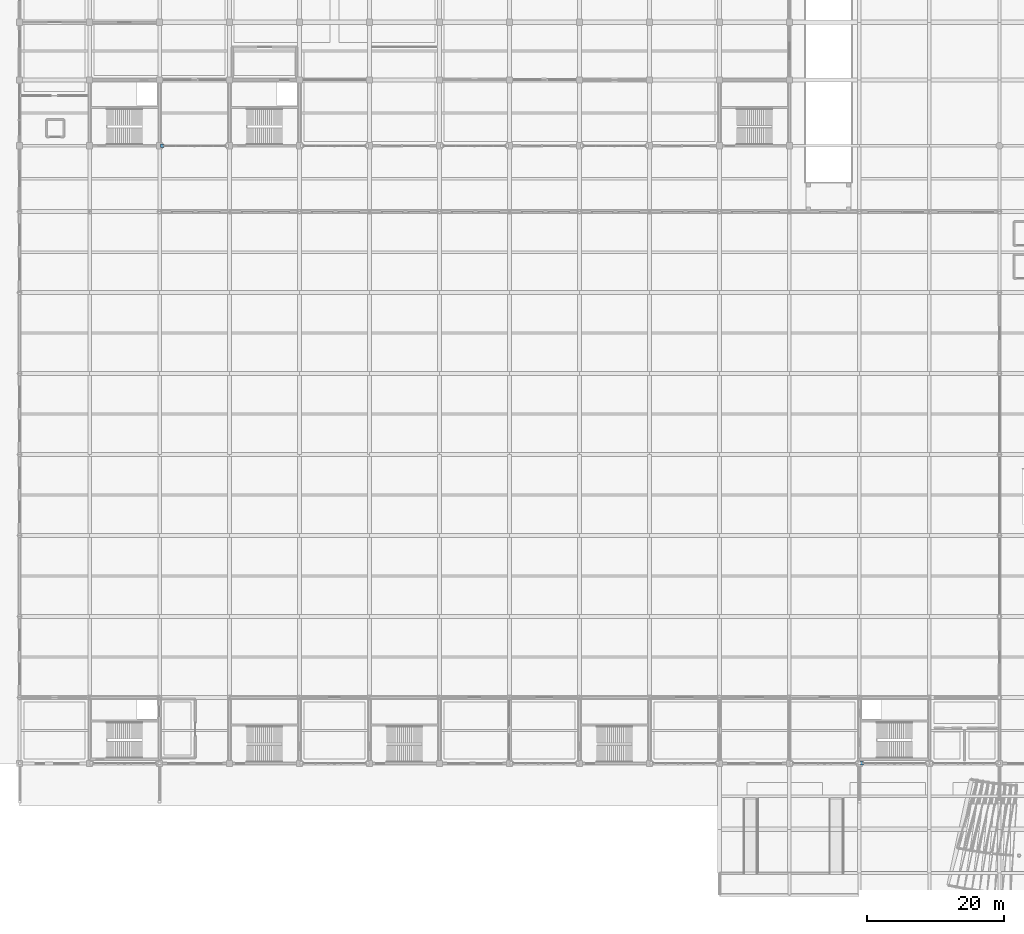
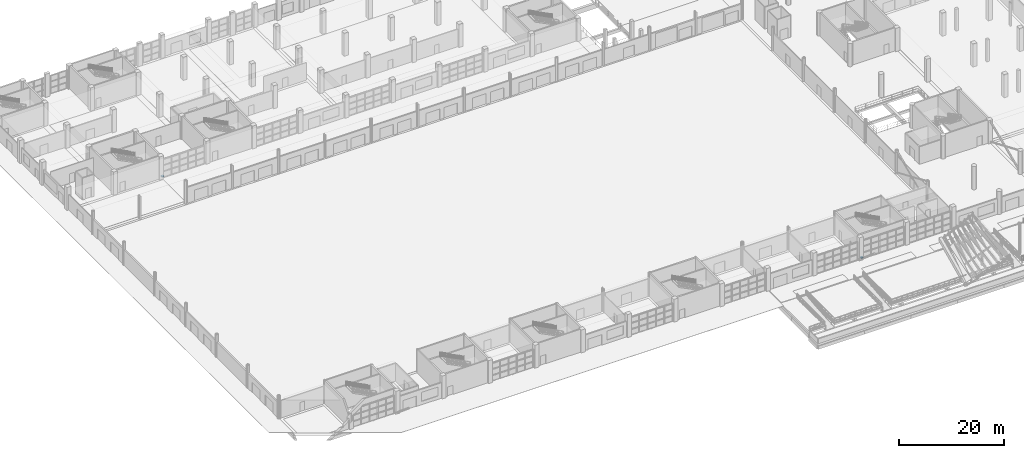
# One storey, part 104 of 124: 2 discrete accessories.
"""IFC4 building model written with IfcOpenShell, lengths in metres."""

import ifcopenshell
import ifcopenshell.guid

model = None  # the IFC model being written
_history = None  # IfcOwnerHistory: only IFC2X3 demands one
_inside = {}  # id of a spatial element -> (the spatial element, [elements in it])
_under = {}  # id of a project, library or spatial element -> (it, [spatial elements below it])
_declared = {}  # id of a project -> (the project, [libraries it declares])
_typed = {}  # id of a type object -> (the type object, [elements of that type])
_made_of = {}  # id of a material, layer set ... -> (it, [elements and type objects made of it])


def new_model(schema):
    """Start an empty IFC model of exactly this schema.

    Asked for "IFC4X3", IfcOpenShell would pick the latest addendum, in which some entities
    have other attributes; the version numbers below select the first issue.
    IFC2X3 requires an IfcOwnerHistory on every rooted entity: one is made here for all.
    """
    global model, _history
    if schema == "IFC4X3":
        model = ifcopenshell.file(schema_version=(4, 3, 0, 0))
    else:
        model = ifcopenshell.file(schema=schema)
    _inside.clear()
    _under.clear()
    _declared.clear()
    _typed.clear()
    _made_of.clear()
    _history = None
    if model.schema == "IFC2X3":
        org = make("IfcOrganization", Name="unknown")
        user = make(
            "IfcPersonAndOrganization",
            ThePerson=make("IfcPerson", FamilyName="unknown"),
            TheOrganization=org,
        )
        app = make(
            "IfcApplication",
            ApplicationDeveloper=org,
            Version="unknown",
            ApplicationFullName="unknown",
            ApplicationIdentifier="unknown",
        )
        _history = make(
            "IfcOwnerHistory",
            OwningUser=user,
            OwningApplication=app,
            ChangeAction="ADDED",
            CreationDate=0,
        )
    return model


def make(cls, **values):
    """One entity of the class cls with the attributes given. An attribute that is None is left unset."""
    return model.create_entity(
        cls, **{name: value for name, value in values.items() if value is not None}
    )


def rooted(cls, **values):
    """An entity with a GlobalId (a new one), such as an element, a storey or a relation."""
    return make(cls, GlobalId=ifcopenshell.guid.new(), OwnerHistory=_history, **values)


def si_unit(unit_type, name, prefix=None):
    """IfcSIUnit, for example si_unit("LENGTHUNIT", "METRE", prefix="MILLI")."""
    return make("IfcSIUnit", UnitType=unit_type, Prefix=prefix, Name=name)


def assignment(units):
    """IfcUnitAssignment: the units of a project."""
    return None if units is None else make("IfcUnitAssignment", Units=units)


def point(xyz):
    """IfcCartesianPoint."""
    return None if xyz is None else make("IfcCartesianPoint", Coordinates=xyz)


def direction(xyz):
    """IfcDirection."""
    return None if xyz is None else make("IfcDirection", DirectionRatios=xyz)


def frame(location, z_axis=None, x_axis=None):
    """IfcAxis2Placement3D, a coordinate frame: its origin and axes. An axis left out is left unset."""
    return make(
        "IfcAxis2Placement3D",
        Location=point(location),
        Axis=direction(z_axis),
        RefDirection=direction(x_axis),
    )


def frame_2d(location, x_axis=None):
    """IfcAxis2Placement2D, a coordinate frame in the plane: its origin and x axis."""
    return make(
        "IfcAxis2Placement2D", Location=point(location), RefDirection=direction(x_axis)
    )


def origin():
    """The frame at (0, 0, 0) with its axes left unset."""
    return frame((0.0, 0.0, 0.0))


def origin_2d():
    """The frame at (0, 0) in the plane with its x axis left unset."""
    return frame_2d((0.0, 0.0))


def place(relative_to, where):
    """IfcLocalPlacement: puts the frame where relative to a parent placement (None: the world)."""
    return make(
        "IfcLocalPlacement", PlacementRelTo=relative_to, RelativePlacement=where
    )


def context(
    kind, dimensions, precision=None, world=None, true_north=None, identifier=None
):
    """IfcGeometricRepresentationContext, for example the 3D "Model" context."""
    return make(
        "IfcGeometricRepresentationContext",
        ContextIdentifier=identifier,
        ContextType=kind,
        CoordinateSpaceDimension=dimensions,
        Precision=precision,
        WorldCoordinateSystem=world,
        TrueNorth=true_north,
    )


def subcontext(parent, identifier, kind, view, scale=None):
    """IfcGeometricRepresentationSubContext, for example "Body" below "Model"."""
    return make(
        "IfcGeometricRepresentationSubContext",
        ContextIdentifier=identifier,
        ContextType=kind,
        ParentContext=parent,
        TargetScale=scale,
        TargetView=view,
    )


def project(units=None, contexts=None):
    """IfcProject with its units and contexts."""
    return rooted(
        "IfcProject",
        Name="project",
        RepresentationContexts=contexts,
        UnitsInContext=assignment(units),
    )


def spatial(cls, under=None, at=None, **own):
    """A site, building, storey or space (cls), placed at a placement, below another one or the project."""
    s = rooted(cls, ObjectPlacement=at, **own)
    if under is not None:
        _under.setdefault(under.id(), (under, []))[1].append(s)
    return s


def profile(cls, at=None, kind="AREA", **sizes):
    """A parametric profile (cls). Its sizes go by their IFC names, for example OverallWidth=200.0."""
    return make(cls, ProfileType=kind, Position=at, **sizes)


def rectangle(**sizes):
    """IfcRectangleProfileDef."""
    return profile("IfcRectangleProfileDef", **sizes)


def extrude(swept, where, along, depth):
    """IfcExtrudedAreaSolid: the profile swept, set in the frame where, extruded along a direction by depth."""
    return make(
        "IfcExtrudedAreaSolid",
        SweptArea=swept,
        Position=where,
        ExtrudedDirection=direction(along),
        Depth=depth,
    )


def shape(context_of_items, identifier, shape_type, items):
    """IfcShapeRepresentation: the items that make up one representation, for example the "Body"."""
    return make(
        "IfcShapeRepresentation",
        ContextOfItems=context_of_items,
        RepresentationIdentifier=identifier,
        RepresentationType=shape_type,
        Items=items,
    )


def material(Name=None, Category=None):
    """IfcMaterial."""
    return make("IfcMaterial", Name=Name, Category=Category)


def made_of(thing, what):
    """Note that an element or type object is made of a material, layer set ...; save() writes the relation."""
    if what is not None:
        _made_of.setdefault(what.id(), (what, []))[1].append(thing)
    return thing


def type_object(cls, material=None, **own):
    """A type object (cls), such as IfcWallType, which elements share."""
    return made_of(rooted(cls, **own), material)


def element(
    cls,
    number,
    at=None,
    inside=None,
    cuts=None,
    type_object=None,
    material=None,
    context=None,
    identifier="Body",
    shape_type=None,
    held_by="IfcProductDefinitionShape",
    body=None,
    shapes=None,
    **own,
):
    """One element of the class cls, such as IfcWall. Its Tag is "e" and its number.

    at: its placement. inside: the storey or other place that contains it. cuts: it is an
    opening in that element (IfcRelVoidsElement). A single representation is given by context,
    identifier, shape_type and body (its items); several are given by shapes. held_by: the class
    of the entity that holds the representations. save() writes the other relations.
    """
    e = rooted(cls, Tag="e%d" % number, ObjectPlacement=at, **own)
    if body is not None:
        shapes = [shape(context, identifier, shape_type, body)]
    if shapes is not None:
        e.Representation = make(held_by, Representations=shapes)
    if inside is not None:
        _inside.setdefault(inside.id(), (inside, []))[1].append(e)
    if cuts is not None:
        rooted(
            "IfcRelVoidsElement", RelatingBuildingElement=cuts, RelatedOpeningElement=e
        )
    if type_object is not None:
        _typed.setdefault(type_object.id(), (type_object, []))[1].append(e)
    return made_of(e, material)


def aggregate(whole, parts):
    """IfcRelAggregates: a whole, such as a stair, and the parts it consists of."""
    return rooted("IfcRelAggregates", RelatingObject=whole, RelatedObjects=parts)


def save(model, path):
    """Write the relations noted so far, then the file.

    IfcRelAggregates (storeys below a building ...), IfcRelContainedInSpatialStructure (elements
    in a storey), IfcRelDefinesByType, IfcRelAssociatesMaterial and IfcRelDeclares: one each for
    every whole, place, type object, material and project.
    """
    for whole, parts in _under.values():
        aggregate(whole, parts)
    for where, things in _inside.values():
        rooted(
            "IfcRelContainedInSpatialStructure",
            RelatedElements=things,
            RelatingStructure=where,
        )
    for kind, things in _typed.values():
        rooted("IfcRelDefinesByType", RelatedObjects=things, RelatingType=kind)
    for what, things in _made_of.values():
        rooted("IfcRelAssociatesMaterial", RelatedObjects=things, RelatingMaterial=what)
    for by, libraries in _declared.values():
        rooted("IfcRelDeclares", RelatingContext=by, RelatedDefinitions=libraries)
    model.write(path)


model = new_model("IFC4")

# Units and contexts
model_context = context("Model", 3, precision=1e-05, world=origin(), true_north=direction((0.0, 1.0)))
body_context = subcontext(model_context, "Body", "Model", "MODEL_VIEW")
ifc_project = project(units=[si_unit("LENGTHUNIT", "METRE"), si_unit("AREAUNIT", "SQUARE_METRE"), si_unit("VOLUMEUNIT", "CUBIC_METRE"), si_unit("PLANEANGLEUNIT", "RADIAN"), si_unit("MASSUNIT", "GRAM", prefix="KILO")], contexts=[model_context])

# Site, building, storey
site_placement = place(None, origin())
site = spatial("IfcSite", under=ifc_project, at=site_placement, CompositionType="ELEMENT")
building_placement = place(site_placement, origin())
building = spatial("IfcBuilding", under=site, at=building_placement, Name="Brelvane Convention Centre", CompositionType="ELEMENT")
storey_placement = place(building_placement, origin())
storey = spatial("IfcBuildingStorey", under=building, at=storey_placement, Name="L00", CompositionType="ELEMENT", Elevation=0.0)

# Discrete accessories
ifc_material = material(Name="Steel E350 (350 MPa)", Category="steel")
discrete_accessory_type = type_object("IfcDiscreteAccessoryType", Name="Facade Outrigger Bracket BRK-02", PredefinedType="BRACKET", material=ifc_material)
for number, where, z_axis, x_axis, name in (
    (1, (122.739990234375, 19.199951171875, 0.22998046875), (0.0, 0.0, 1.0), (1.0, 0.0, 0.0), "Curtain Wall Anchor Bracket L00-V1S-13-L"),
    (2, (20.7900390625, 109.199951171875, 0.22998046875), (0.0, 0.0, 1.0), (1.0, 0.0, 0.0), "Curtain Wall Anchor Bracket L00-V4S-03-L"),
):
    element("IfcDiscreteAccessory", number, at=place(storey_placement, frame(where, z_axis=z_axis, x_axis=x_axis)), inside=storey, type_object=discrete_accessory_type, Name=name, PredefinedType="BRACKET", context=body_context, shape_type="SweptSolid", body=[
        extrude(rectangle(XDim=0.47998046875, YDim=0.47998046875, at=origin_2d()), origin(), (0.0, 0.0, 1.0), 0.239990234375),
    ])

save(model, "model.ifc")
